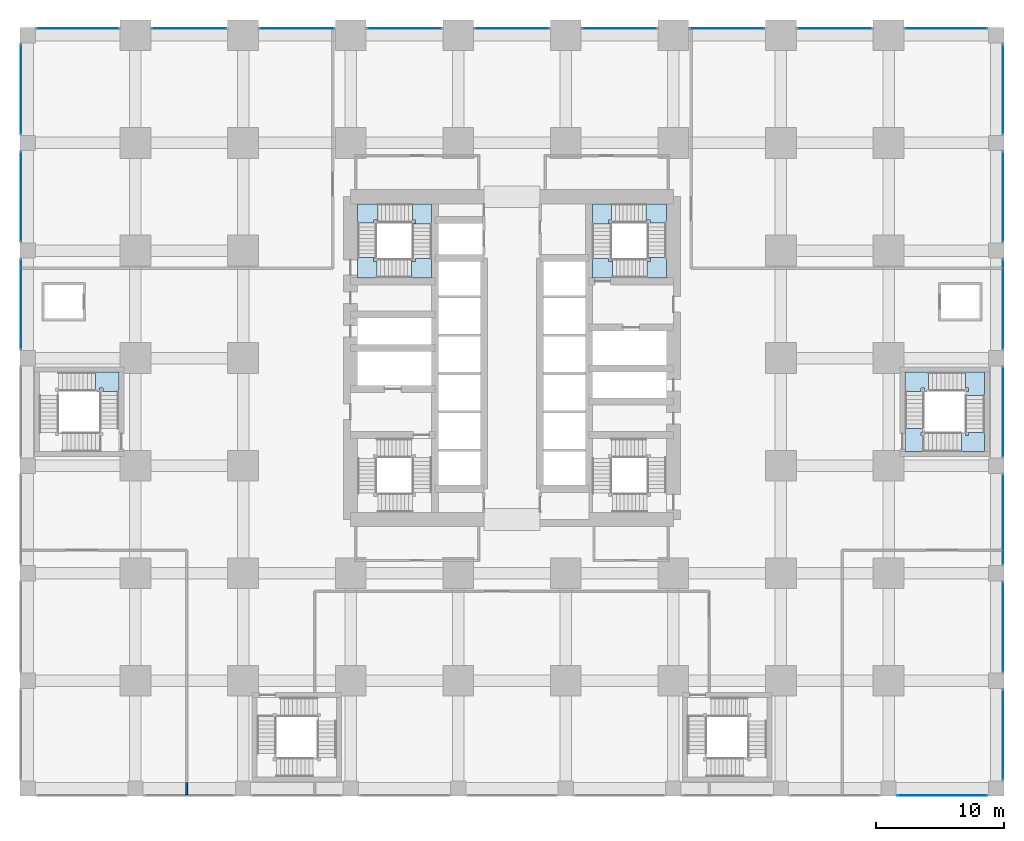
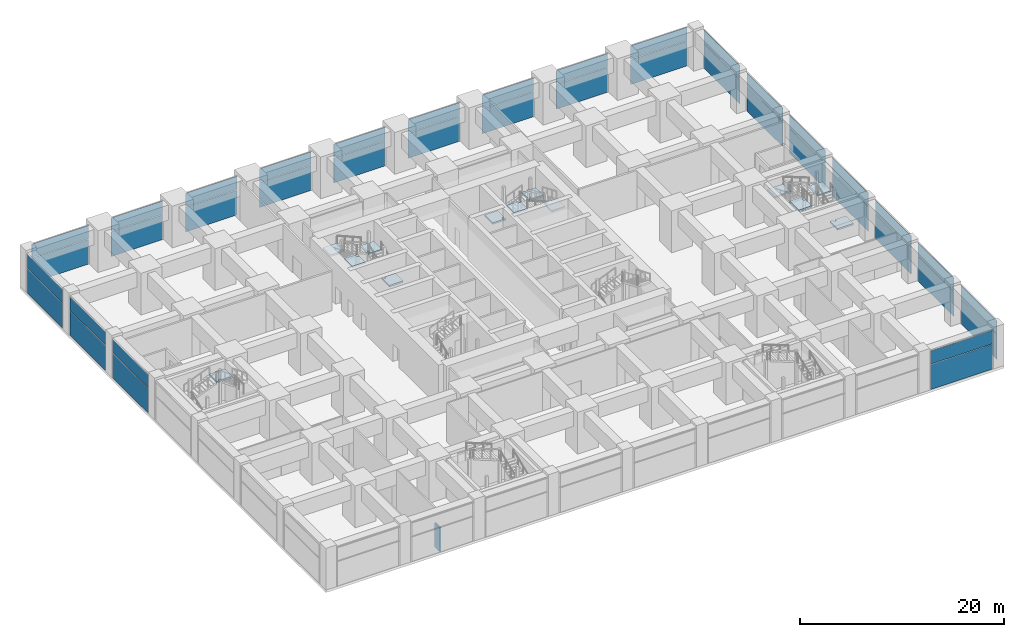
# One storey, part 35 of 48: 40 plates, 13 slabs, 1 wall, 24 elements without a shape of their own.
"""IFC4 building model written with IfcOpenShell, lengths in metres."""

import ifcopenshell
import ifcopenshell.guid

model = None  # the IFC model being written
_history = None  # IfcOwnerHistory: only IFC2X3 demands one
_inside = {}  # id of a spatial element -> (the spatial element, [elements in it])
_under = {}  # id of a project, library or spatial element -> (it, [spatial elements below it])
_declared = {}  # id of a project -> (the project, [libraries it declares])
_typed = {}  # id of a type object -> (the type object, [elements of that type])
_made_of = {}  # id of a material, layer set ... -> (it, [elements and type objects made of it])


def new_model(schema):
    """Start an empty IFC model of exactly this schema.

    Asked for "IFC4X3", IfcOpenShell would pick the latest addendum, in which some entities
    have other attributes; the version numbers below select the first issue.
    IFC2X3 requires an IfcOwnerHistory on every rooted entity: one is made here for all.
    """
    global model, _history
    if schema == "IFC4X3":
        model = ifcopenshell.file(schema_version=(4, 3, 0, 0))
    else:
        model = ifcopenshell.file(schema=schema)
    _inside.clear()
    _under.clear()
    _declared.clear()
    _typed.clear()
    _made_of.clear()
    _history = None
    if model.schema == "IFC2X3":
        org = make("IfcOrganization", Name="unknown")
        user = make(
            "IfcPersonAndOrganization",
            ThePerson=make("IfcPerson", FamilyName="unknown"),
            TheOrganization=org,
        )
        app = make(
            "IfcApplication",
            ApplicationDeveloper=org,
            Version="unknown",
            ApplicationFullName="unknown",
            ApplicationIdentifier="unknown",
        )
        _history = make(
            "IfcOwnerHistory",
            OwningUser=user,
            OwningApplication=app,
            ChangeAction="ADDED",
            CreationDate=0,
        )
    return model


def make(cls, **values):
    """One entity of the class cls with the attributes given. An attribute that is None is left unset."""
    return model.create_entity(
        cls, **{name: value for name, value in values.items() if value is not None}
    )


def rooted(cls, **values):
    """An entity with a GlobalId (a new one), such as an element, a storey or a relation."""
    return make(cls, GlobalId=ifcopenshell.guid.new(), OwnerHistory=_history, **values)


def si_unit(unit_type, name, prefix=None):
    """IfcSIUnit, for example si_unit("LENGTHUNIT", "METRE", prefix="MILLI")."""
    return make("IfcSIUnit", UnitType=unit_type, Prefix=prefix, Name=name)


def assignment(units):
    """IfcUnitAssignment: the units of a project."""
    return None if units is None else make("IfcUnitAssignment", Units=units)


def point(xyz):
    """IfcCartesianPoint."""
    return None if xyz is None else make("IfcCartesianPoint", Coordinates=xyz)


def direction(xyz):
    """IfcDirection."""
    return None if xyz is None else make("IfcDirection", DirectionRatios=xyz)


def frame(location, z_axis=None, x_axis=None):
    """IfcAxis2Placement3D, a coordinate frame: its origin and axes. An axis left out is left unset."""
    return make(
        "IfcAxis2Placement3D",
        Location=point(location),
        Axis=direction(z_axis),
        RefDirection=direction(x_axis),
    )


def frame_2d(location, x_axis=None):
    """IfcAxis2Placement2D, a coordinate frame in the plane: its origin and x axis."""
    return make(
        "IfcAxis2Placement2D", Location=point(location), RefDirection=direction(x_axis)
    )


def origin():
    """The frame at (0, 0, 0) with its axes left unset."""
    return frame((0.0, 0.0, 0.0))


def origin_2d():
    """The frame at (0, 0) in the plane with its x axis left unset."""
    return frame_2d((0.0, 0.0))


def place(relative_to, where):
    """IfcLocalPlacement: puts the frame where relative to a parent placement (None: the world)."""
    return make(
        "IfcLocalPlacement", PlacementRelTo=relative_to, RelativePlacement=where
    )


def context(
    kind, dimensions, precision=None, world=None, true_north=None, identifier=None
):
    """IfcGeometricRepresentationContext, for example the 3D "Model" context."""
    return make(
        "IfcGeometricRepresentationContext",
        ContextIdentifier=identifier,
        ContextType=kind,
        CoordinateSpaceDimension=dimensions,
        Precision=precision,
        WorldCoordinateSystem=world,
        TrueNorth=true_north,
    )


def subcontext(parent, identifier, kind, view, scale=None):
    """IfcGeometricRepresentationSubContext, for example "Body" below "Model"."""
    return make(
        "IfcGeometricRepresentationSubContext",
        ContextIdentifier=identifier,
        ContextType=kind,
        ParentContext=parent,
        TargetScale=scale,
        TargetView=view,
    )


def project(units=None, contexts=None):
    """IfcProject with its units and contexts."""
    return rooted(
        "IfcProject",
        Name="project",
        RepresentationContexts=contexts,
        UnitsInContext=assignment(units),
    )


def spatial(cls, under=None, at=None, **own):
    """A site, building, storey or space (cls), placed at a placement, below another one or the project."""
    s = rooted(cls, ObjectPlacement=at, **own)
    if under is not None:
        _under.setdefault(under.id(), (under, []))[1].append(s)
    return s


def polyline(points):
    """IfcPolyline through the points."""
    return make("IfcPolyline", Points=[point(p) for p in points])


def profile(cls, at=None, kind="AREA", **sizes):
    """A parametric profile (cls). Its sizes go by their IFC names, for example OverallWidth=200.0."""
    return make(cls, ProfileType=kind, Position=at, **sizes)


def rectangle(**sizes):
    """IfcRectangleProfileDef."""
    return profile("IfcRectangleProfileDef", **sizes)


def outline(outer, holes=None, kind="AREA"):
    """IfcArbitraryClosedProfileDef: a profile drawn as a closed curve; with holes, ...WithVoids."""
    if holes is None:
        return make("IfcArbitraryClosedProfileDef", ProfileType=kind, OuterCurve=outer)
    return make(
        "IfcArbitraryProfileDefWithVoids",
        ProfileType=kind,
        OuterCurve=outer,
        InnerCurves=holes,
    )


def extrude(swept, where, along, depth):
    """IfcExtrudedAreaSolid: the profile swept, set in the frame where, extruded along a direction by depth."""
    return make(
        "IfcExtrudedAreaSolid",
        SweptArea=swept,
        Position=where,
        ExtrudedDirection=direction(along),
        Depth=depth,
    )


def shape(context_of_items, identifier, shape_type, items):
    """IfcShapeRepresentation: the items that make up one representation, for example the "Body"."""
    return make(
        "IfcShapeRepresentation",
        ContextOfItems=context_of_items,
        RepresentationIdentifier=identifier,
        RepresentationType=shape_type,
        Items=items,
    )


def material(Name=None, Category=None):
    """IfcMaterial."""
    return make("IfcMaterial", Name=Name, Category=Category)


def layer(
    of_material, thickness, ventilated=None, Name=None, Category=None, Priority=None
):
    """IfcMaterialLayer: one layer of a wall or slab, of a material (None: an air gap)."""
    return make(
        "IfcMaterialLayer",
        Material=of_material,
        LayerThickness=thickness,
        IsVentilated=ventilated,
        Name=Name,
        Category=Category,
        Priority=Priority,
    )


def layer_set(layers, Name=None):
    """IfcMaterialLayerSet."""
    return make("IfcMaterialLayerSet", MaterialLayers=layers, LayerSetName=Name)


def made_of(thing, what):
    """Note that an element or type object is made of a material, layer set ...; save() writes the relation."""
    if what is not None:
        _made_of.setdefault(what.id(), (what, []))[1].append(thing)
    return thing


def type_object(cls, material=None, **own):
    """A type object (cls), such as IfcWallType, which elements share."""
    return made_of(rooted(cls, **own), material)


def element(
    cls,
    number,
    at=None,
    inside=None,
    cuts=None,
    type_object=None,
    material=None,
    context=None,
    identifier="Body",
    shape_type=None,
    held_by="IfcProductDefinitionShape",
    body=None,
    shapes=None,
    **own,
):
    """One element of the class cls, such as IfcWall. Its Tag is "e" and its number.

    at: its placement. inside: the storey or other place that contains it. cuts: it is an
    opening in that element (IfcRelVoidsElement). A single representation is given by context,
    identifier, shape_type and body (its items); several are given by shapes. held_by: the class
    of the entity that holds the representations. save() writes the other relations.
    """
    e = rooted(cls, Tag="e%d" % number, ObjectPlacement=at, **own)
    if body is not None:
        shapes = [shape(context, identifier, shape_type, body)]
    if shapes is not None:
        e.Representation = make(held_by, Representations=shapes)
    if inside is not None:
        _inside.setdefault(inside.id(), (inside, []))[1].append(e)
    if cuts is not None:
        rooted(
            "IfcRelVoidsElement", RelatingBuildingElement=cuts, RelatedOpeningElement=e
        )
    if type_object is not None:
        _typed.setdefault(type_object.id(), (type_object, []))[1].append(e)
    return made_of(e, material)


def aggregate(whole, parts):
    """IfcRelAggregates: a whole, such as a stair, and the parts it consists of."""
    return rooted("IfcRelAggregates", RelatingObject=whole, RelatedObjects=parts)


def save(model, path):
    """Write the relations noted so far, then the file.

    IfcRelAggregates (storeys below a building ...), IfcRelContainedInSpatialStructure (elements
    in a storey), IfcRelDefinesByType, IfcRelAssociatesMaterial and IfcRelDeclares: one each for
    every whole, place, type object, material and project.
    """
    for whole, parts in _under.values():
        aggregate(whole, parts)
    for where, things in _inside.values():
        rooted(
            "IfcRelContainedInSpatialStructure",
            RelatedElements=things,
            RelatingStructure=where,
        )
    for kind, things in _typed.values():
        rooted("IfcRelDefinesByType", RelatedObjects=things, RelatingType=kind)
    for what, things in _made_of.values():
        rooted("IfcRelAssociatesMaterial", RelatedObjects=things, RelatingMaterial=what)
    for by, libraries in _declared.values():
        rooted("IfcRelDeclares", RelatingContext=by, RelatedDefinitions=libraries)
    model.write(path)


model = new_model("IFC4")

# Units and contexts
model_context = context("Model", 3, precision=1e-05, world=origin(), true_north=direction((0.0, 1.0)))
body_context = subcontext(model_context, "Body", "Model", "MODEL_VIEW")
ifc_project = project(units=[si_unit("LENGTHUNIT", "METRE"), si_unit("AREAUNIT", "SQUARE_METRE"), si_unit("VOLUMEUNIT", "CUBIC_METRE"), si_unit("PLANEANGLEUNIT", "RADIAN"), si_unit("MASSUNIT", "GRAM", prefix="KILO")], contexts=[model_context])

# Site, building, storey
site_placement = place(None, origin())
site = spatial("IfcSite", under=ifc_project, at=site_placement, CompositionType="ELEMENT")
building_placement = place(site_placement, origin())
building = spatial("IfcBuilding", under=site, at=building_placement, Name="Rekha Terrace Tower", CompositionType="ELEMENT")
storey_placement = place(building_placement, frame((0.0, 0.0, 15.39990234375)))
storey = spatial("IfcBuildingStorey", under=building, at=storey_placement, Name="L03", CompositionType="ELEMENT", Elevation=15.39990234375)

# Curtain wall, plates
ifc_material_1 = material(Name="Aluminium framing", Category="aluminium")
curtain_wall_type = type_object("IfcCurtainWallType", Name="CW4 podium shopfront glazing", PredefinedType="USERDEFINED", material=ifc_material_1)
curtain_wall_1_placement = place(storey_placement, origin())
curtain_wall_1 = element("IfcCurtainWall", 1, at=curtain_wall_1_placement, inside=storey, type_object=curtain_wall_type, Name="CW4 shopfront curtain wall", ObjectType="SHOPFRONT CURTAIN WALL", PredefinedType="USERDEFINED")
ifc_material_2 = material(Name="Laminated double-glazed unit 30", Category="glass")
ifc_layer_1 = layer(ifc_material_2, 0.030029296875)
ifc_layer_set_1 = layer_set([ifc_layer_1], Name="Laminated double-glazed unit 30")
plate_type = type_object("IfcPlateType", Name="CW4 jumbo vision panel, laminated double-glazed unit 30", PredefinedType="CURTAIN_PANEL", material=ifc_layer_set_1)
plate_1_placement = place(storey_placement, frame((71.39990234375, -0.5400390625, 0.000244140625), z_axis=(0.0, 0.0, 1.0), x_axis=(1.0, 0.0, 0.0)))
plate_1 = element("IfcPlate", 2, at=plate_1_placement, type_object=plate_type, Name="CW4 panel 1.1", PredefinedType="CURTAIN_PANEL", context=body_context, shape_type="SweptSolid", body=[
    extrude(rectangle(XDim=7.010009765625, YDim=0.030029296875, at=origin_2d()), origin(), (0.0, 0.0, 1.0), 2.96240234375),
])
plate_2_placement = place(storey_placement, frame((71.39990234375, -0.5400390625, 3.03759765625), z_axis=(0.0, 0.0, 1.0), x_axis=(1.0, 0.0, 0.0)))
plate_2 = element("IfcPlate", 3, at=plate_2_placement, type_object=plate_type, Name="CW4 panel 1.2", PredefinedType="CURTAIN_PANEL", context=body_context, shape_type="SweptSolid", body=[
    extrude(rectangle(XDim=7.010009765625, YDim=0.030029296875, at=origin_2d()), origin(), (0.0, 0.0, 1.0), 1.58740234375),
])
aggregate(curtain_wall_1, [plate_1, plate_2])

curtain_wall_2_placement = place(storey_placement, origin())
curtain_wall_2 = element("IfcCurtainWall", 4, at=curtain_wall_2_placement, inside=storey, type_object=curtain_wall_type, Name="CW4 shopfront curtain wall", ObjectType="SHOPFRONT CURTAIN WALL", PredefinedType="USERDEFINED")
plate_3_placement = place(storey_placement, frame((76.139892578125, 4.199951171875, 0.000244140625), z_axis=(0.0, 0.0, 1.0), x_axis=(0.0, 1.0, 0.0)))
plate_3 = element("IfcPlate", 5, at=plate_3_placement, type_object=plate_type, Name="CW4 panel 1.1", PredefinedType="CURTAIN_PANEL", context=body_context, shape_type="SweptSolid", body=[
    extrude(rectangle(XDim=7.010009765625, YDim=0.030029296875, at=origin_2d()), origin(), (0.0, 0.0, 1.0), 2.96240234375),
])
plate_4_placement = place(storey_placement, frame((76.139892578125, 4.199951171875, 3.03759765625), z_axis=(0.0, 0.0, 1.0), x_axis=(0.0, 1.0, 0.0)))
plate_4 = element("IfcPlate", 6, at=plate_4_placement, type_object=plate_type, Name="CW4 panel 1.2", PredefinedType="CURTAIN_PANEL", context=body_context, shape_type="SweptSolid", body=[
    extrude(rectangle(XDim=7.010009765625, YDim=0.030029296875, at=origin_2d()), origin(), (0.0, 0.0, 1.0), 1.58740234375),
])
aggregate(curtain_wall_2, [plate_3, plate_4])

curtain_wall_3_placement = place(storey_placement, origin())
curtain_wall_3 = element("IfcCurtainWall", 7, at=curtain_wall_3_placement, inside=storey, type_object=curtain_wall_type, Name="CW4 shopfront curtain wall", ObjectType="SHOPFRONT CURTAIN WALL", PredefinedType="USERDEFINED")
plate_5_placement = place(storey_placement, frame((76.139892578125, 12.60009765625, 0.000244140625), z_axis=(0.0, 0.0, 1.0), x_axis=(0.0, 1.0, 0.0)))
plate_5 = element("IfcPlate", 8, at=plate_5_placement, type_object=plate_type, Name="CW4 panel 1.1", PredefinedType="CURTAIN_PANEL", context=body_context, shape_type="SweptSolid", body=[
    extrude(rectangle(XDim=7.010009765625, YDim=0.030029296875, at=origin_2d()), origin(), (0.0, 0.0, 1.0), 2.96240234375),
])
plate_6_placement = place(storey_placement, frame((76.139892578125, 12.60009765625, 3.03759765625), z_axis=(0.0, 0.0, 1.0), x_axis=(0.0, 1.0, 0.0)))
plate_6 = element("IfcPlate", 9, at=plate_6_placement, type_object=plate_type, Name="CW4 panel 1.2", PredefinedType="CURTAIN_PANEL", context=body_context, shape_type="SweptSolid", body=[
    extrude(rectangle(XDim=7.010009765625, YDim=0.030029296875, at=origin_2d()), origin(), (0.0, 0.0, 1.0), 1.58740234375),
])
aggregate(curtain_wall_3, [plate_5, plate_6])

curtain_wall_4_placement = place(storey_placement, origin())
curtain_wall_4 = element("IfcCurtainWall", 10, at=curtain_wall_4_placement, inside=storey, type_object=curtain_wall_type, Name="CW4 shopfront curtain wall", ObjectType="SHOPFRONT CURTAIN WALL", PredefinedType="USERDEFINED")
plate_7_placement = place(storey_placement, frame((76.139892578125, 21.0, 0.000244140625), z_axis=(0.0, 0.0, 1.0), x_axis=(0.0, 1.0, 0.0)))
plate_7 = element("IfcPlate", 11, at=plate_7_placement, type_object=plate_type, Name="CW4 panel 1.1", PredefinedType="CURTAIN_PANEL", context=body_context, shape_type="SweptSolid", body=[
    extrude(rectangle(XDim=7.010009765625, YDim=0.030029296875, at=origin_2d()), origin(), (0.0, 0.0, 1.0), 2.96240234375),
])
plate_8_placement = place(storey_placement, frame((76.139892578125, 21.0, 3.03759765625), z_axis=(0.0, 0.0, 1.0), x_axis=(0.0, 1.0, 0.0)))
plate_8 = element("IfcPlate", 12, at=plate_8_placement, type_object=plate_type, Name="CW4 panel 1.2", PredefinedType="CURTAIN_PANEL", context=body_context, shape_type="SweptSolid", body=[
    extrude(rectangle(XDim=7.010009765625, YDim=0.030029296875, at=origin_2d()), origin(), (0.0, 0.0, 1.0), 1.58740234375),
])
aggregate(curtain_wall_4, [plate_7, plate_8])

curtain_wall_5_placement = place(storey_placement, origin())
curtain_wall_5 = element("IfcCurtainWall", 13, at=curtain_wall_5_placement, inside=storey, type_object=curtain_wall_type, Name="CW4 shopfront curtain wall", ObjectType="SHOPFRONT CURTAIN WALL", PredefinedType="USERDEFINED")
plate_9_placement = place(storey_placement, frame((76.139892578125, 29.39990234375, 0.000244140625), z_axis=(0.0, 0.0, 1.0), x_axis=(0.0, 1.0, 0.0)))
plate_9 = element("IfcPlate", 14, at=plate_9_placement, type_object=plate_type, Name="CW4 panel 1.1", PredefinedType="CURTAIN_PANEL", context=body_context, shape_type="SweptSolid", body=[
    extrude(rectangle(XDim=7.010009765625, YDim=0.030029296875, at=origin_2d()), origin(), (0.0, 0.0, 1.0), 2.96240234375),
])
plate_10_placement = place(storey_placement, frame((76.139892578125, 29.39990234375, 3.03759765625), z_axis=(0.0, 0.0, 1.0), x_axis=(0.0, 1.0, 0.0)))
plate_10 = element("IfcPlate", 15, at=plate_10_placement, type_object=plate_type, Name="CW4 panel 1.2", PredefinedType="CURTAIN_PANEL", context=body_context, shape_type="SweptSolid", body=[
    extrude(rectangle(XDim=7.010009765625, YDim=0.030029296875, at=origin_2d()), origin(), (0.0, 0.0, 1.0), 1.58740234375),
])
aggregate(curtain_wall_5, [plate_9, plate_10])

curtain_wall_6_placement = place(storey_placement, origin())
curtain_wall_6 = element("IfcCurtainWall", 16, at=curtain_wall_6_placement, inside=storey, type_object=curtain_wall_type, Name="CW4 shopfront curtain wall", ObjectType="SHOPFRONT CURTAIN WALL", PredefinedType="USERDEFINED")
plate_11_placement = place(storey_placement, frame((76.139892578125, 37.800048828125, 0.000244140625), z_axis=(0.0, 0.0, 1.0), x_axis=(0.0, 1.0, 0.0)))
plate_11 = element("IfcPlate", 17, at=plate_11_placement, type_object=plate_type, Name="CW4 panel 1.1", PredefinedType="CURTAIN_PANEL", context=body_context, shape_type="SweptSolid", body=[
    extrude(rectangle(XDim=7.010009765625, YDim=0.030029296875, at=origin_2d()), origin(), (0.0, 0.0, 1.0), 2.96240234375),
])
plate_12_placement = place(storey_placement, frame((76.139892578125, 37.800048828125, 3.03759765625), z_axis=(0.0, 0.0, 1.0), x_axis=(0.0, 1.0, 0.0)))
plate_12 = element("IfcPlate", 18, at=plate_12_placement, type_object=plate_type, Name="CW4 panel 1.2", PredefinedType="CURTAIN_PANEL", context=body_context, shape_type="SweptSolid", body=[
    extrude(rectangle(XDim=7.010009765625, YDim=0.030029296875, at=origin_2d()), origin(), (0.0, 0.0, 1.0), 1.58740234375),
])
aggregate(curtain_wall_6, [plate_11, plate_12])

curtain_wall_7_placement = place(storey_placement, origin())
curtain_wall_7 = element("IfcCurtainWall", 19, at=curtain_wall_7_placement, inside=storey, type_object=curtain_wall_type, Name="CW4 shopfront curtain wall", ObjectType="SHOPFRONT CURTAIN WALL", PredefinedType="USERDEFINED")
plate_13_placement = place(storey_placement, frame((76.139892578125, 46.199951171875, 0.000244140625), z_axis=(0.0, 0.0, 1.0), x_axis=(0.0, 1.0, 0.0)))
plate_13 = element("IfcPlate", 20, at=plate_13_placement, type_object=plate_type, Name="CW4 panel 1.1", PredefinedType="CURTAIN_PANEL", context=body_context, shape_type="SweptSolid", body=[
    extrude(rectangle(XDim=7.010009765625, YDim=0.030029296875, at=origin_2d()), origin(), (0.0, 0.0, 1.0), 2.96240234375),
])
plate_14_placement = place(storey_placement, frame((76.139892578125, 46.199951171875, 3.03759765625), z_axis=(0.0, 0.0, 1.0), x_axis=(0.0, 1.0, 0.0)))
plate_14 = element("IfcPlate", 21, at=plate_14_placement, type_object=plate_type, Name="CW4 panel 1.2", PredefinedType="CURTAIN_PANEL", context=body_context, shape_type="SweptSolid", body=[
    extrude(rectangle(XDim=7.010009765625, YDim=0.030029296875, at=origin_2d()), origin(), (0.0, 0.0, 1.0), 1.58740234375),
])
aggregate(curtain_wall_7, [plate_13, plate_14])

curtain_wall_8_placement = place(storey_placement, origin())
curtain_wall_8 = element("IfcCurtainWall", 22, at=curtain_wall_8_placement, inside=storey, type_object=curtain_wall_type, Name="CW4 shopfront curtain wall", ObjectType="SHOPFRONT CURTAIN WALL", PredefinedType="USERDEFINED")
plate_15_placement = place(storey_placement, frame((76.139892578125, 54.60009765625, 0.000244140625), z_axis=(0.0, 0.0, 1.0), x_axis=(0.0, 1.0, 0.0)))
plate_15 = element("IfcPlate", 23, at=plate_15_placement, type_object=plate_type, Name="CW4 panel 1.1", PredefinedType="CURTAIN_PANEL", context=body_context, shape_type="SweptSolid", body=[
    extrude(rectangle(XDim=7.010009765625, YDim=0.030029296875, at=origin_2d()), origin(), (0.0, 0.0, 1.0), 2.96240234375),
])
plate_16_placement = place(storey_placement, frame((76.139892578125, 54.60009765625, 3.03759765625), z_axis=(0.0, 0.0, 1.0), x_axis=(0.0, 1.0, 0.0)))
plate_16 = element("IfcPlate", 24, at=plate_16_placement, type_object=plate_type, Name="CW4 panel 1.2", PredefinedType="CURTAIN_PANEL", context=body_context, shape_type="SweptSolid", body=[
    extrude(rectangle(XDim=7.010009765625, YDim=0.030029296875, at=origin_2d()), origin(), (0.0, 0.0, 1.0), 1.58740234375),
])
aggregate(curtain_wall_8, [plate_15, plate_16])

curtain_wall_9_placement = place(storey_placement, origin())
curtain_wall_9 = element("IfcCurtainWall", 25, at=curtain_wall_9_placement, inside=storey, type_object=curtain_wall_type, Name="CW4 shopfront curtain wall", ObjectType="SHOPFRONT CURTAIN WALL", PredefinedType="USERDEFINED")
plate_17_placement = place(storey_placement, frame((71.699951171875, 59.340087890625, 0.000244140625), z_axis=(0.0, 0.0, 1.0), x_axis=(-1.0, 0.0, 0.0)))
plate_17 = element("IfcPlate", 26, at=plate_17_placement, type_object=plate_type, Name="CW4 panel 1.1", PredefinedType="CURTAIN_PANEL", context=body_context, shape_type="SweptSolid", body=[
    extrude(rectangle(XDim=6.409912109375, YDim=0.030029296875, at=origin_2d()), origin(), (0.0, 0.0, 1.0), 2.96240234375),
])
plate_18_placement = place(storey_placement, frame((71.699951171875, 59.340087890625, 3.03759765625), z_axis=(0.0, 0.0, 1.0), x_axis=(-1.0, 0.0, 0.0)))
plate_18 = element("IfcPlate", 27, at=plate_18_placement, type_object=plate_type, Name="CW4 panel 1.2", PredefinedType="CURTAIN_PANEL", context=body_context, shape_type="SweptSolid", body=[
    extrude(rectangle(XDim=6.409912109375, YDim=0.030029296875, at=origin_2d()), origin(), (0.0, 0.0, 1.0), 1.58740234375),
])
aggregate(curtain_wall_9, [plate_17, plate_18])

curtain_wall_10_placement = place(storey_placement, origin())
curtain_wall_10 = element("IfcCurtainWall", 28, at=curtain_wall_10_placement, inside=storey, type_object=curtain_wall_type, Name="CW4 shopfront curtain wall", ObjectType="SHOPFRONT CURTAIN WALL", PredefinedType="USERDEFINED")
plate_19_placement = place(storey_placement, frame((63.0, 59.340087890625, 0.000244140625), z_axis=(0.0, 0.0, 1.0), x_axis=(-1.0, 0.0, 0.0)))
plate_19 = element("IfcPlate", 29, at=plate_19_placement, type_object=plate_type, Name="CW4 panel 1.1", PredefinedType="CURTAIN_PANEL", context=body_context, shape_type="SweptSolid", body=[
    extrude(rectangle(XDim=5.81005859375, YDim=0.030029296875, at=origin_2d()), origin(), (0.0, 0.0, 1.0), 2.96240234375),
])
plate_20_placement = place(storey_placement, frame((63.0, 59.340087890625, 3.03759765625), z_axis=(0.0, 0.0, 1.0), x_axis=(-1.0, 0.0, 0.0)))
plate_20 = element("IfcPlate", 30, at=plate_20_placement, type_object=plate_type, Name="CW4 panel 1.2", PredefinedType="CURTAIN_PANEL", context=body_context, shape_type="SweptSolid", body=[
    extrude(rectangle(XDim=5.81005859375, YDim=0.030029296875, at=origin_2d()), origin(), (0.0, 0.0, 1.0), 1.58740234375),
])
aggregate(curtain_wall_10, [plate_19, plate_20])

curtain_wall_11_placement = place(storey_placement, origin())
curtain_wall_11 = element("IfcCurtainWall", 31, at=curtain_wall_11_placement, inside=storey, type_object=curtain_wall_type, Name="CW4 shopfront curtain wall", ObjectType="SHOPFRONT CURTAIN WALL", PredefinedType="USERDEFINED")
plate_21_placement = place(storey_placement, frame((54.60009765625, 59.340087890625, 0.000244140625), z_axis=(0.0, 0.0, 1.0), x_axis=(-1.0, 0.0, 0.0)))
plate_21 = element("IfcPlate", 32, at=plate_21_placement, type_object=plate_type, Name="CW4 panel 1.1", PredefinedType="CURTAIN_PANEL", context=body_context, shape_type="SweptSolid", body=[
    extrude(rectangle(XDim=5.81005859375, YDim=0.030029296875, at=origin_2d()), origin(), (0.0, 0.0, 1.0), 2.96240234375),
])
plate_22_placement = place(storey_placement, frame((54.60009765625, 59.340087890625, 3.03759765625), z_axis=(0.0, 0.0, 1.0), x_axis=(-1.0, 0.0, 0.0)))
plate_22 = element("IfcPlate", 33, at=plate_22_placement, type_object=plate_type, Name="CW4 panel 1.2", PredefinedType="CURTAIN_PANEL", context=body_context, shape_type="SweptSolid", body=[
    extrude(rectangle(XDim=5.81005859375, YDim=0.030029296875, at=origin_2d()), origin(), (0.0, 0.0, 1.0), 1.58740234375),
])
aggregate(curtain_wall_11, [plate_21, plate_22])

curtain_wall_12_placement = place(storey_placement, origin())
curtain_wall_12 = element("IfcCurtainWall", 34, at=curtain_wall_12_placement, inside=storey, type_object=curtain_wall_type, Name="CW4 shopfront curtain wall", ObjectType="SHOPFRONT CURTAIN WALL", PredefinedType="USERDEFINED")
plate_23_placement = place(storey_placement, frame((46.199951171875, 59.340087890625, 0.000244140625), z_axis=(0.0, 0.0, 1.0), x_axis=(-1.0, 0.0, 0.0)))
plate_23 = element("IfcPlate", 35, at=plate_23_placement, type_object=plate_type, Name="CW4 panel 1.1", PredefinedType="CURTAIN_PANEL", context=body_context, shape_type="SweptSolid", body=[
    extrude(rectangle(XDim=5.81005859375, YDim=0.030029296875, at=origin_2d()), origin(), (0.0, 0.0, 1.0), 2.96240234375),
])
plate_24_placement = place(storey_placement, frame((46.199951171875, 59.340087890625, 3.03759765625), z_axis=(0.0, 0.0, 1.0), x_axis=(-1.0, 0.0, 0.0)))
plate_24 = element("IfcPlate", 36, at=plate_24_placement, type_object=plate_type, Name="CW4 panel 1.2", PredefinedType="CURTAIN_PANEL", context=body_context, shape_type="SweptSolid", body=[
    extrude(rectangle(XDim=5.81005859375, YDim=0.030029296875, at=origin_2d()), origin(), (0.0, 0.0, 1.0), 1.58740234375),
])
aggregate(curtain_wall_12, [plate_23, plate_24])

curtain_wall_13_placement = place(storey_placement, origin())
curtain_wall_13 = element("IfcCurtainWall", 37, at=curtain_wall_13_placement, inside=storey, type_object=curtain_wall_type, Name="CW4 shopfront curtain wall", ObjectType="SHOPFRONT CURTAIN WALL", PredefinedType="USERDEFINED")
plate_25_placement = place(storey_placement, frame((37.800048828125, 59.340087890625, 0.000244140625), z_axis=(0.0, 0.0, 1.0), x_axis=(-1.0, 0.0, 0.0)))
plate_25 = element("IfcPlate", 38, at=plate_25_placement, type_object=plate_type, Name="CW4 panel 1.1", PredefinedType="CURTAIN_PANEL", context=body_context, shape_type="SweptSolid", body=[
    extrude(rectangle(XDim=5.81005859375, YDim=0.030029296875, at=origin_2d()), origin(), (0.0, 0.0, 1.0), 2.96240234375),
])
plate_26_placement = place(storey_placement, frame((37.800048828125, 59.340087890625, 3.03759765625), z_axis=(0.0, 0.0, 1.0), x_axis=(-1.0, 0.0, 0.0)))
plate_26 = element("IfcPlate", 39, at=plate_26_placement, type_object=plate_type, Name="CW4 panel 1.2", PredefinedType="CURTAIN_PANEL", context=body_context, shape_type="SweptSolid", body=[
    extrude(rectangle(XDim=5.81005859375, YDim=0.030029296875, at=origin_2d()), origin(), (0.0, 0.0, 1.0), 1.58740234375),
])
aggregate(curtain_wall_13, [plate_25, plate_26])

curtain_wall_14_placement = place(storey_placement, origin())
curtain_wall_14 = element("IfcCurtainWall", 40, at=curtain_wall_14_placement, inside=storey, type_object=curtain_wall_type, Name="CW4 shopfront curtain wall", ObjectType="SHOPFRONT CURTAIN WALL", PredefinedType="USERDEFINED")
plate_27_placement = place(storey_placement, frame((29.39990234375, 59.340087890625, 0.000244140625), z_axis=(0.0, 0.0, 1.0), x_axis=(-1.0, 0.0, 0.0)))
plate_27 = element("IfcPlate", 41, at=plate_27_placement, type_object=plate_type, Name="CW4 panel 1.1", PredefinedType="CURTAIN_PANEL", context=body_context, shape_type="SweptSolid", body=[
    extrude(rectangle(XDim=5.81005859375, YDim=0.030029296875, at=origin_2d()), origin(), (0.0, 0.0, 1.0), 2.96240234375),
])
plate_28_placement = place(storey_placement, frame((29.39990234375, 59.340087890625, 3.03759765625), z_axis=(0.0, 0.0, 1.0), x_axis=(-1.0, 0.0, 0.0)))
plate_28 = element("IfcPlate", 42, at=plate_28_placement, type_object=plate_type, Name="CW4 panel 1.2", PredefinedType="CURTAIN_PANEL", context=body_context, shape_type="SweptSolid", body=[
    extrude(rectangle(XDim=5.81005859375, YDim=0.030029296875, at=origin_2d()), origin(), (0.0, 0.0, 1.0), 1.58740234375),
])
aggregate(curtain_wall_14, [plate_27, plate_28])

curtain_wall_15_placement = place(storey_placement, origin())
curtain_wall_15 = element("IfcCurtainWall", 43, at=curtain_wall_15_placement, inside=storey, type_object=curtain_wall_type, Name="CW4 shopfront curtain wall", ObjectType="SHOPFRONT CURTAIN WALL", PredefinedType="USERDEFINED")
plate_29_placement = place(storey_placement, frame((21.0, 59.340087890625, 0.000244140625), z_axis=(0.0, 0.0, 1.0), x_axis=(-1.0, 0.0, 0.0)))
plate_29 = element("IfcPlate", 44, at=plate_29_placement, type_object=plate_type, Name="CW4 panel 1.1", PredefinedType="CURTAIN_PANEL", context=body_context, shape_type="SweptSolid", body=[
    extrude(rectangle(XDim=5.81005859375, YDim=0.030029296875, at=origin_2d()), origin(), (0.0, 0.0, 1.0), 2.96240234375),
])
plate_30_placement = place(storey_placement, frame((21.0, 59.340087890625, 3.03759765625), z_axis=(0.0, 0.0, 1.0), x_axis=(-1.0, 0.0, 0.0)))
plate_30 = element("IfcPlate", 45, at=plate_30_placement, type_object=plate_type, Name="CW4 panel 1.2", PredefinedType="CURTAIN_PANEL", context=body_context, shape_type="SweptSolid", body=[
    extrude(rectangle(XDim=5.81005859375, YDim=0.030029296875, at=origin_2d()), origin(), (0.0, 0.0, 1.0), 1.58740234375),
])
aggregate(curtain_wall_15, [plate_29, plate_30])

curtain_wall_16_placement = place(storey_placement, origin())
curtain_wall_16 = element("IfcCurtainWall", 46, at=curtain_wall_16_placement, inside=storey, type_object=curtain_wall_type, Name="CW4 shopfront curtain wall", ObjectType="SHOPFRONT CURTAIN WALL", PredefinedType="USERDEFINED")
plate_31_placement = place(storey_placement, frame((12.60009765625, 59.340087890625, 0.000244140625), z_axis=(0.0, 0.0, 1.0), x_axis=(-1.0, 0.0, 0.0)))
plate_31 = element("IfcPlate", 47, at=plate_31_placement, type_object=plate_type, Name="CW4 panel 1.1", PredefinedType="CURTAIN_PANEL", context=body_context, shape_type="SweptSolid", body=[
    extrude(rectangle(XDim=5.81005859375, YDim=0.030029296875, at=origin_2d()), origin(), (0.0, 0.0, 1.0), 2.96240234375),
])
plate_32_placement = place(storey_placement, frame((12.60009765625, 59.340087890625, 3.03759765625), z_axis=(0.0, 0.0, 1.0), x_axis=(-1.0, 0.0, 0.0)))
plate_32 = element("IfcPlate", 48, at=plate_32_placement, type_object=plate_type, Name="CW4 panel 1.2", PredefinedType="CURTAIN_PANEL", context=body_context, shape_type="SweptSolid", body=[
    extrude(rectangle(XDim=5.81005859375, YDim=0.030029296875, at=origin_2d()), origin(), (0.0, 0.0, 1.0), 1.58740234375),
])
aggregate(curtain_wall_16, [plate_31, plate_32])

curtain_wall_17_placement = place(storey_placement, origin())
curtain_wall_17 = element("IfcCurtainWall", 49, at=curtain_wall_17_placement, inside=storey, type_object=curtain_wall_type, Name="CW4 shopfront curtain wall", ObjectType="SHOPFRONT CURTAIN WALL", PredefinedType="USERDEFINED")
plate_33_placement = place(storey_placement, frame((3.89990234375, 59.340087890625, 0.000244140625), z_axis=(0.0, 0.0, 1.0), x_axis=(-1.0, 0.0, 0.0)))
plate_33 = element("IfcPlate", 50, at=plate_33_placement, type_object=plate_type, Name="CW4 panel 1.1", PredefinedType="CURTAIN_PANEL", context=body_context, shape_type="SweptSolid", body=[
    extrude(rectangle(XDim=6.409912109375, YDim=0.030029296875, at=origin_2d()), origin(), (0.0, 0.0, 1.0), 2.96240234375),
])
plate_34_placement = place(storey_placement, frame((3.89990234375, 59.340087890625, 3.03759765625), z_axis=(0.0, 0.0, 1.0), x_axis=(-1.0, 0.0, 0.0)))
plate_34 = element("IfcPlate", 51, at=plate_34_placement, type_object=plate_type, Name="CW4 panel 1.2", PredefinedType="CURTAIN_PANEL", context=body_context, shape_type="SweptSolid", body=[
    extrude(rectangle(XDim=6.409912109375, YDim=0.030029296875, at=origin_2d()), origin(), (0.0, 0.0, 1.0), 1.58740234375),
])
aggregate(curtain_wall_17, [plate_33, plate_34])

curtain_wall_18_placement = place(storey_placement, origin())
curtain_wall_18 = element("IfcCurtainWall", 52, at=curtain_wall_18_placement, inside=storey, type_object=curtain_wall_type, Name="CW4 shopfront curtain wall", ObjectType="SHOPFRONT CURTAIN WALL", PredefinedType="USERDEFINED")
plate_35_placement = place(storey_placement, frame((-0.5400390625, 54.60009765625, 0.000244140625), z_axis=(0.0, 0.0, 1.0), x_axis=(0.0, -1.0, 0.0)))
plate_35 = element("IfcPlate", 53, at=plate_35_placement, type_object=plate_type, Name="CW4 panel 1.1", PredefinedType="CURTAIN_PANEL", context=body_context, shape_type="SweptSolid", body=[
    extrude(rectangle(XDim=7.010009765625, YDim=0.030029296875, at=origin_2d()), origin(), (0.0, 0.0, 1.0), 2.96240234375),
])
plate_36_placement = place(storey_placement, frame((-0.5400390625, 54.60009765625, 3.03759765625), z_axis=(0.0, 0.0, 1.0), x_axis=(0.0, -1.0, 0.0)))
plate_36 = element("IfcPlate", 54, at=plate_36_placement, type_object=plate_type, Name="CW4 panel 1.2", PredefinedType="CURTAIN_PANEL", context=body_context, shape_type="SweptSolid", body=[
    extrude(rectangle(XDim=7.010009765625, YDim=0.030029296875, at=origin_2d()), origin(), (0.0, 0.0, 1.0), 1.58740234375),
])
aggregate(curtain_wall_18, [plate_35, plate_36])

curtain_wall_19_placement = place(storey_placement, origin())
curtain_wall_19 = element("IfcCurtainWall", 55, at=curtain_wall_19_placement, inside=storey, type_object=curtain_wall_type, Name="CW4 shopfront curtain wall", ObjectType="SHOPFRONT CURTAIN WALL", PredefinedType="USERDEFINED")
plate_37_placement = place(storey_placement, frame((-0.5400390625, 46.199951171875, 0.000244140625), z_axis=(0.0, 0.0, 1.0), x_axis=(0.0, -1.0, 0.0)))
plate_37 = element("IfcPlate", 56, at=plate_37_placement, type_object=plate_type, Name="CW4 panel 1.1", PredefinedType="CURTAIN_PANEL", context=body_context, shape_type="SweptSolid", body=[
    extrude(rectangle(XDim=7.010009765625, YDim=0.030029296875, at=origin_2d()), origin(), (0.0, 0.0, 1.0), 2.96240234375),
])
plate_38_placement = place(storey_placement, frame((-0.5400390625, 46.199951171875, 3.03759765625), z_axis=(0.0, 0.0, 1.0), x_axis=(0.0, -1.0, 0.0)))
plate_38 = element("IfcPlate", 57, at=plate_38_placement, type_object=plate_type, Name="CW4 panel 1.2", PredefinedType="CURTAIN_PANEL", context=body_context, shape_type="SweptSolid", body=[
    extrude(rectangle(XDim=7.010009765625, YDim=0.030029296875, at=origin_2d()), origin(), (0.0, 0.0, 1.0), 1.58740234375),
])
aggregate(curtain_wall_19, [plate_37, plate_38])

curtain_wall_20_placement = place(storey_placement, origin())
curtain_wall_20 = element("IfcCurtainWall", 58, at=curtain_wall_20_placement, inside=storey, type_object=curtain_wall_type, Name="CW4 shopfront curtain wall", ObjectType="SHOPFRONT CURTAIN WALL", PredefinedType="USERDEFINED")
plate_39_placement = place(storey_placement, frame((-0.5400390625, 37.800048828125, 0.000244140625), z_axis=(0.0, 0.0, 1.0), x_axis=(0.0, -1.0, 0.0)))
plate_39 = element("IfcPlate", 59, at=plate_39_placement, type_object=plate_type, Name="CW4 panel 1.1", PredefinedType="CURTAIN_PANEL", context=body_context, shape_type="SweptSolid", body=[
    extrude(rectangle(XDim=7.010009765625, YDim=0.030029296875, at=origin_2d()), origin(), (0.0, 0.0, 1.0), 2.96240234375),
])
plate_40_placement = place(storey_placement, frame((-0.5400390625, 37.800048828125, 3.03759765625), z_axis=(0.0, 0.0, 1.0), x_axis=(0.0, -1.0, 0.0)))
plate_40 = element("IfcPlate", 60, at=plate_40_placement, type_object=plate_type, Name="CW4 panel 1.2", PredefinedType="CURTAIN_PANEL", context=body_context, shape_type="SweptSolid", body=[
    extrude(rectangle(XDim=7.010009765625, YDim=0.030029296875, at=origin_2d()), origin(), (0.0, 0.0, 1.0), 1.58740234375),
])
aggregate(curtain_wall_20, [plate_39, plate_40])

# Stair, slab
ifc_material_3 = material(Name="Concrete M40", Category="concrete")
stair_type_1 = type_object("IfcStairType", Name="ST40 stair, 40 risers of 125, going 320, 1500 wide flights, 4 flights", PredefinedType="QUARTER_TURN_STAIR", material=ifc_material_3)
stair_1_placement = place(storey_placement, origin())
stair_1 = element("IfcStair", 61, at=stair_1_placement, inside=storey, type_object=stair_type_1, Name="Stair SP1 L03 to L04", PredefinedType="QUARTER_TURN_STAIR")
ifc_layer_2 = layer(ifc_material_3, 0.199951171875)
ifc_layer_set_2 = layer_set([ifc_layer_2], Name="Concrete M40")
slab_type = type_object("IfcSlabType", Name="LD1 200 concrete stair landing", PredefinedType="LANDING", material=ifc_layer_set_2)
slab_1_placement = place(storey_placement, frame((0.0, 0.0, 3.550048828125)))
slab_1 = element("IfcSlab", 62, at=slab_1_placement, type_object=slab_type, Name="SP1 landing 3", PredefinedType="LANDING", context=body_context, shape_type="SweptSolid", body=[
    extrude(outline(polyline([(7.10009765625, 31.0), (7.10009765625, 32.5), (5.280029296875, 32.5), (5.280029296875, 31.0), (5.60009765625, 31.0), (5.60009765625, 31.25), (5.85009765625, 31.25), (5.85009765625, 31.0), (7.10009765625, 31.0)])), origin(), (0.0, 0.0, 1.0), 0.199951171875),
])
aggregate(stair_1, [slab_1])

# Stair, slabs
stair_2_placement = place(storey_placement, origin())
stair_2 = element("IfcStair", 63, at=stair_2_placement, inside=storey, type_object=stair_type_1, Name="Stair SP2 L03 to L04", PredefinedType="QUARTER_TURN_STAIR")
slab_2_placement = place(storey_placement, frame((0.0, 0.0, 1.050048828125)))
slab_2 = element("IfcSlab", 64, at=slab_2_placement, type_object=slab_type, Name="SP2 landing 1", PredefinedType="LANDING", context=body_context, shape_type="SweptSolid", body=[
    extrude(outline(polyline([(74.699951171875, 27.800048828125), (74.699951171875, 26.300048828125), (72.8798828125, 26.300048828125), (72.8798828125, 27.800048828125), (73.199951171875, 27.800048828125), (73.199951171875, 27.550048828125), (73.449951171875, 27.550048828125), (73.449951171875, 27.800048828125), (74.699951171875, 27.800048828125)])), origin(), (0.0, 0.0, 1.0), 0.199951171875),
])
slab_3_placement = place(storey_placement, frame((0.0, 0.0, 2.300048828125)))
slab_3 = element("IfcSlab", 65, at=slab_3_placement, type_object=slab_type, Name="SP2 landing 2", PredefinedType="LANDING", context=body_context, shape_type="SweptSolid", body=[
    extrude(outline(polyline([(73.199951171875, 32.5), (74.699951171875, 32.5), (74.699951171875, 30.679931640625), (73.199951171875, 30.679931640625), (73.199951171875, 31.0), (73.449951171875, 31.0), (73.449951171875, 31.25), (73.199951171875, 31.25), (73.199951171875, 32.5)])), origin(), (0.0, 0.0, 1.0), 0.199951171875),
])
slab_4_placement = place(storey_placement, frame((0.0, 0.0, 3.550048828125)))
slab_4 = element("IfcSlab", 66, at=slab_4_placement, type_object=slab_type, Name="SP2 landing 3", PredefinedType="LANDING", context=body_context, shape_type="SweptSolid", body=[
    extrude(outline(polyline([(68.5, 31.0), (68.5, 32.5), (70.320068359375, 32.5), (70.320068359375, 31.0), (70.0, 31.0), (70.0, 31.25), (69.75, 31.25), (69.75, 31.0), (68.5, 31.0)])), origin(), (0.0, 0.0, 1.0), 0.199951171875),
])
slab_5_placement = place(storey_placement, frame((0.0, 0.0, 4.800048828125)))
slab_5 = element("IfcSlab", 67, at=slab_5_placement, type_object=slab_type, Name="SP2 landing 4", PredefinedType="LANDING", context=body_context, shape_type="SweptSolid", body=[
    extrude(outline(polyline([(70.0, 26.300048828125), (68.5, 26.300048828125), (68.5, 28.1201171875), (70.0, 28.1201171875), (70.0, 27.800048828125), (69.75, 27.800048828125), (69.75, 27.550048828125), (70.0, 27.550048828125), (70.0, 26.300048828125)])), origin(), (0.0, 0.0, 1.0), 0.199951171875),
])
aggregate(stair_2, [slab_2, slab_3, slab_4, slab_5])

stair_type_2 = type_object("IfcStairType", Name="ST40 stair, 40 risers of 125, going 300, 1500 wide flights, 4 flights", PredefinedType="QUARTER_TURN_STAIR", material=ifc_material_3)
stair_3_placement = place(storey_placement, origin())
stair_3 = element("IfcStair", 68, at=stair_3_placement, inside=storey, type_object=stair_type_2, Name="Stair ST2 L03 to L04", PredefinedType="QUARTER_TURN_STAIR")
slab_6_placement = place(storey_placement, frame((0.0, 0.0, 1.050048828125)))
slab_6 = element("IfcSlab", 69, at=slab_6_placement, type_object=slab_type, Name="ST2 landing 1", PredefinedType="LANDING", context=body_context, shape_type="SweptSolid", body=[
    extrude(outline(polyline([(45.574951171875, 45.64990234375), (44.074951171875, 45.64990234375), (44.074951171875, 44.074951171875), (45.574951171875, 44.074951171875), (45.574951171875, 44.14990234375), (45.324951171875, 44.14990234375), (45.324951171875, 44.39990234375), (45.574951171875, 44.39990234375), (45.574951171875, 45.64990234375)])), origin(), (0.0, 0.0, 1.0), 0.199951171875),
])
slab_7_placement = place(storey_placement, frame((0.0, 0.0, 2.300048828125)))
slab_7 = element("IfcSlab", 70, at=slab_7_placement, type_object=slab_type, Name="ST2 landing 2", PredefinedType="LANDING", context=body_context, shape_type="SweptSolid", body=[
    extrude(outline(polyline([(49.85009765625, 44.14990234375), (49.85009765625, 45.64990234375), (48.27490234375, 45.64990234375), (48.27490234375, 44.14990234375), (48.35009765625, 44.14990234375), (48.35009765625, 44.39990234375), (48.60009765625, 44.39990234375), (48.60009765625, 44.14990234375), (49.85009765625, 44.14990234375)])), origin(), (0.0, 0.0, 1.0), 0.199951171875),
])
slab_8_placement = place(storey_placement, frame((0.0, 0.0, 3.550048828125)))
slab_8 = element("IfcSlab", 71, at=slab_8_placement, type_object=slab_type, Name="ST2 landing 3", PredefinedType="LANDING", context=body_context, shape_type="SweptSolid", body=[
    extrude(outline(polyline([(48.35009765625, 39.875), (49.85009765625, 39.875), (49.85009765625, 41.449951171875), (48.35009765625, 41.449951171875), (48.35009765625, 41.375), (48.60009765625, 41.375), (48.60009765625, 41.125), (48.35009765625, 41.125), (48.35009765625, 39.875)])), origin(), (0.0, 0.0, 1.0), 0.199951171875),
])
slab_9_placement = place(storey_placement, frame((0.0, 0.0, 4.800048828125)))
slab_9 = element("IfcSlab", 72, at=slab_9_placement, type_object=slab_type, Name="ST2 landing 4", PredefinedType="LANDING", context=body_context, shape_type="SweptSolid", body=[
    extrude(outline(polyline([(44.074951171875, 41.375), (44.074951171875, 39.875), (45.64990234375, 39.875), (45.64990234375, 41.375), (45.574951171875, 41.375), (45.574951171875, 41.125), (45.324951171875, 41.125), (45.324951171875, 41.375), (44.074951171875, 41.375)])), origin(), (0.0, 0.0, 1.0), 0.199951171875),
])
aggregate(stair_3, [slab_6, slab_7, slab_8, slab_9])

stair_4_placement = place(storey_placement, origin())
stair_4 = element("IfcStair", 73, at=stair_4_placement, inside=storey, type_object=stair_type_2, Name="Stair ST4 L03 to L04", PredefinedType="QUARTER_TURN_STAIR")
slab_10_placement = place(storey_placement, frame((0.0, 0.0, 1.050048828125)))
slab_10 = element("IfcSlab", 74, at=slab_10_placement, type_object=slab_type, Name="ST4 landing 1", PredefinedType="LANDING", context=body_context, shape_type="SweptSolid", body=[
    extrude(outline(polyline([(31.52490234375, 41.375), (31.52490234375, 39.875), (29.949951171875, 39.875), (29.949951171875, 41.375), (30.02490234375, 41.375), (30.02490234375, 41.125), (30.27490234375, 41.125), (30.27490234375, 41.375), (31.52490234375, 41.375)])), origin(), (0.0, 0.0, 1.0), 0.199951171875),
])
slab_11_placement = place(storey_placement, frame((0.0, 0.0, 2.300048828125)))
slab_11 = element("IfcSlab", 75, at=slab_11_placement, type_object=slab_type, Name="ST4 landing 2", PredefinedType="LANDING", context=body_context, shape_type="SweptSolid", body=[
    extrude(outline(polyline([(30.02490234375, 45.64990234375), (31.52490234375, 45.64990234375), (31.52490234375, 44.074951171875), (30.02490234375, 44.074951171875), (30.02490234375, 44.14990234375), (30.27490234375, 44.14990234375), (30.27490234375, 44.39990234375), (30.02490234375, 44.39990234375), (30.02490234375, 45.64990234375)])), origin(), (0.0, 0.0, 1.0), 0.199951171875),
])
slab_12_placement = place(storey_placement, frame((0.0, 0.0, 3.550048828125)))
slab_12 = element("IfcSlab", 76, at=slab_12_placement, type_object=slab_type, Name="ST4 landing 3", PredefinedType="LANDING", context=body_context, shape_type="SweptSolid", body=[
    extrude(outline(polyline([(25.75, 44.14990234375), (25.75, 45.64990234375), (27.324951171875, 45.64990234375), (27.324951171875, 44.14990234375), (27.25, 44.14990234375), (27.25, 44.39990234375), (27.0, 44.39990234375), (27.0, 44.14990234375), (25.75, 44.14990234375)])), origin(), (0.0, 0.0, 1.0), 0.199951171875),
])
slab_13_placement = place(storey_placement, frame((0.0, 0.0, 4.800048828125)))
slab_13 = element("IfcSlab", 77, at=slab_13_placement, type_object=slab_type, Name="ST4 landing 4", PredefinedType="LANDING", context=body_context, shape_type="SweptSolid", body=[
    extrude(outline(polyline([(27.25, 39.875), (25.75, 39.875), (25.75, 41.449951171875), (27.25, 41.449951171875), (27.25, 41.375), (27.0, 41.375), (27.0, 41.125), (27.25, 41.125), (27.25, 39.875)])), origin(), (0.0, 0.0, 1.0), 0.199951171875),
])
aggregate(stair_4, [slab_10, slab_11, slab_12, slab_13])

# Wall
ifc_material_4 = material(Name="Concrete block masonry, 1 hour", Category="masonry")
ifc_layer_3 = layer(ifc_material_4, 0.14990234375)
ifc_layer_set_3 = layer_set([ifc_layer_3], Name="Concrete block masonry, 1 hour")
wall_type = type_object("IfcWallType", Name="WP2 150 tenancy partition", PredefinedType="PARTITIONING", material=ifc_layer_set_3)
wall_placement = place(storey_placement, frame((12.39990234375, 0.4599609375, 0.0), z_axis=(0.0, 0.0, 1.0), x_axis=(0.0, -1.0, 0.0)))
element("IfcWall", 78, at=wall_placement, inside=storey, type_object=wall_type, Name="Partition L03-05", PredefinedType="PARTITIONING", context=body_context, shape_type="SweptSolid", body=[
    extrude(rectangle(XDim=0.949951171875, YDim=0.14990234375, at=frame_2d((0.47509765625, 0.0))), origin(), (0.0, 0.0, 1.0), 2.900146484375),
])

save(model, "model.ifc")
